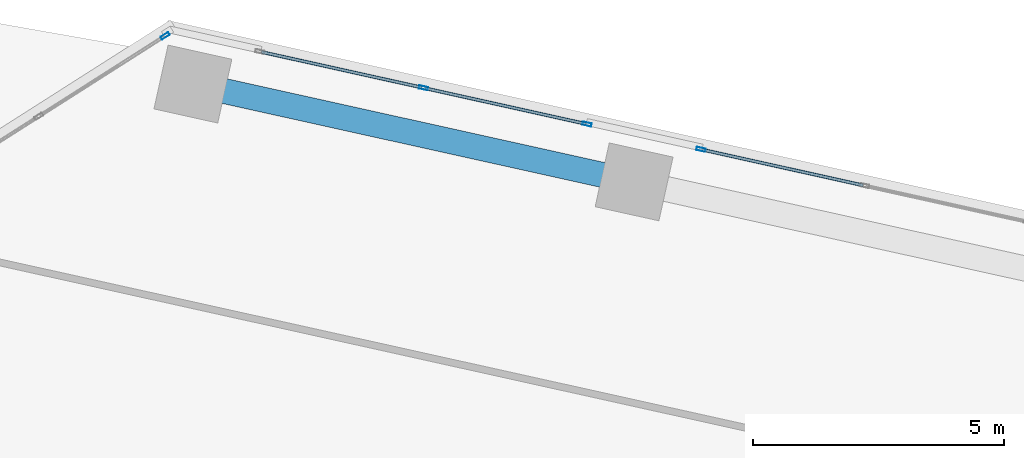
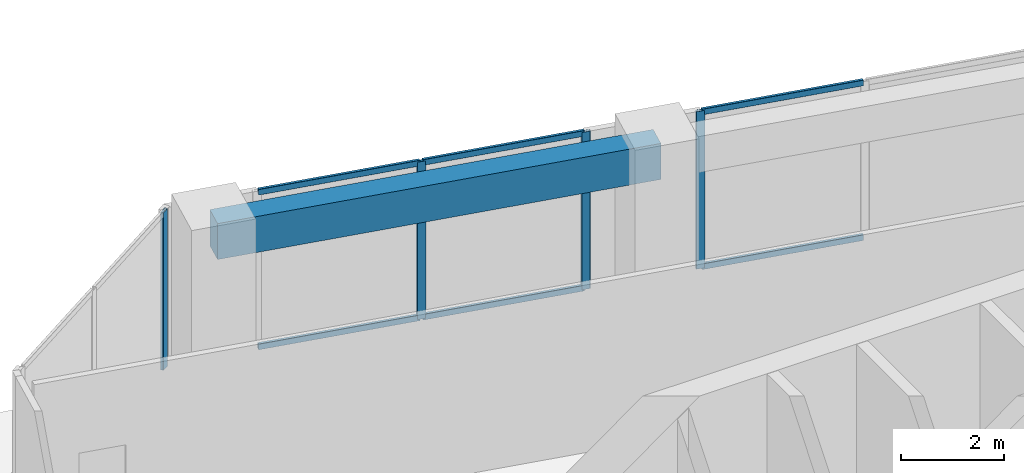
# One storey, part 16 of 25: 10 members, 1 beam, 3 elements without a shape of their own.
"""IFC4 building model written with IfcOpenShell, lengths in metres."""

from ifc_helpers import new_model, si_unit, direction, frame, origin, origin_2d, place, context, subcontext, project, spatial, rectangle, hollow_rectangle, extrude, source, transform, mapped, material, material_profile, profile_set, type_object, element, aggregate, save


model = new_model("IFC4")

# Units and contexts
model_context = context("Model", 3, precision=1e-05, world=origin(), true_north=direction((0.0, 1.0)))
body_context = subcontext(model_context, "Body", "Model", "MODEL_VIEW")
ifc_project = project(units=[si_unit("LENGTHUNIT", "METRE"), si_unit("AREAUNIT", "SQUARE_METRE"), si_unit("VOLUMEUNIT", "CUBIC_METRE"), si_unit("PLANEANGLEUNIT", "RADIAN"), si_unit("MASSUNIT", "GRAM", prefix="KILO")], contexts=[model_context])

# Site, building, storey
site_placement = place(None, origin())
site = spatial("IfcSite", under=ifc_project, at=site_placement, CompositionType="ELEMENT")
building_placement = place(site_placement, origin())
building = spatial("IfcBuilding", under=site, at=building_placement, Name="Torre Montelarca", CompositionType="ELEMENT")
storey_placement = place(building_placement, frame((0.0, 0.0, 87.39990234375)))
storey = spatial("IfcBuildingStorey", under=building, at=storey_placement, Name="L19", CompositionType="ELEMENT", Elevation=87.39990234375)

# Beam
ifc_material_1 = material(Name="Concrete C55/67", Category="concrete")
ifc_material_profile_1 = material_profile(ifc_material_1, rectangle(XDim=0.5, YDim=0.85009765625, at=origin_2d()), Name="RCB500X850", Category="concrete")
ifc_profile_set_1 = profile_set([ifc_material_profile_1], Name="Concrete C55/67")
beam_type = type_object("IfcBeamType", Name="BM-SP-RC850-EXT", PredefinedType="SPANDREL", material=ifc_profile_set_1)
shared_shape_1 = source(origin(), body_context, "Body", "SweptSolid", [
    extrude(rectangle(XDim=0.5, YDim=0.85009765625, at=origin_2d()), origin(), (0.0, 0.0, 1.0), 9.0),
])
beam_placement = place(storey_placement, frame((12.575439453125, 49.496337890625, 3.53515625), z_axis=(0.976294808562, -0.216445020214, 0.0), x_axis=(0.216445020214, 0.976294808562, 0.0)))
element("IfcBeam", 1, at=beam_placement, inside=storey, type_object=beam_type, Name="L19 Grid Girder X 9.0-18.0 at Y=47.1", PredefinedType="SPANDREL", context=body_context, shape_type="MappedRepresentation", body=[
    mapped(shared_shape_1, transform((0.0, 0.0, 0.0), scale=1.0)),
])

# Curtain wall, members
ifc_material_2 = material(Name="Insulated low-E laminated glass", Category="glass")
curtain_wall_type = type_object("IfcCurtainWallType", Name="CW-SYS-Z1", PredefinedType="USERDEFINED", material=ifc_material_2)
curtain_wall_1_placement = place(storey_placement, origin())
curtain_wall_1 = element("IfcCurtainWall", 2, at=curtain_wall_1_placement, inside=storey, type_object=curtain_wall_type, Name="L19 Curtain Wall Run CW-T3-L19-E08-B4", ObjectType="UNITISED GLAZING", PredefinedType="USERDEFINED")
ifc_material_3 = material(Name="Anodised aluminium AA 6063-T6", Category="aluminium")
ifc_material_profile_2 = material_profile(ifc_material_3, hollow_rectangle(XDim=0.06494140625, YDim=0.139892578125, WallThickness=0.00390625, InnerFilletRadius=0.00390625, OuterFilletRadius=0.008056640625, at=origin_2d()), Name="ALU65X140X4", Category="aluminium")
ifc_profile_set_2 = profile_set([ifc_material_profile_2], Name="Anodised aluminium AA 6063-T6")
member_type_1 = type_object("IfcMemberType", Name="CWT-ALU140", PredefinedType="USERDEFINED", material=ifc_profile_set_2)
shared_shape_2 = source(origin(), body_context, "Body", "SweptSolid", [
    extrude(hollow_rectangle(XDim=0.06494140625, YDim=0.139892578125, WallThickness=0.00390625, InnerFilletRadius=0.00390625, OuterFilletRadius=0.008056640625, at=origin_2d()), origin(), (0.0, 0.0, 1.0), 3.272705078125),
])
member_1_placement = place(storey_placement, frame((20.39453125, 48.705322265625, 0.03271484375), z_axis=(-0.976301020546, 0.216416998594, 0.0), x_axis=(-0.216416998594, -0.976301020546, 0.0)))
member_1 = element("IfcMember", 3, at=member_1_placement, type_object=member_type_1, Name="CW transom 1.1", ObjectType="TRANSOM", PredefinedType="USERDEFINED", context=body_context, shape_type="MappedRepresentation", body=[
    mapped(shared_shape_2, transform((0.0, 0.0, 0.0), scale=1.0)),
])
member_2_placement = place(storey_placement, frame((20.39453125, 48.705322265625, 3.6875), z_axis=(-0.976301020546, 0.216416998594, 0.0), x_axis=(-0.216416998594, -0.976301020546, 0.0)))
member_2 = element("IfcMember", 4, at=member_2_placement, type_object=member_type_1, Name="CW transom 1.2", ObjectType="TRANSOM", PredefinedType="USERDEFINED", context=body_context, shape_type="MappedRepresentation", body=[
    mapped(shared_shape_2, transform((0.0, 0.0, 0.0), scale=1.0)),
])

curtain_wall_2_placement = place(storey_placement, origin())
curtain_wall_2 = element("IfcCurtainWall", 5, at=curtain_wall_2_placement, inside=storey, type_object=curtain_wall_type, Name="L19 Curtain Wall Run CW-T3-L19-E08-B3", ObjectType="UNITISED GLAZING", PredefinedType="USERDEFINED")
shared_shape_3 = source(origin(), body_context, "Body", "SweptSolid", [
    extrude(hollow_rectangle(XDim=0.06494140625, YDim=0.139892578125, WallThickness=0.00390625, InnerFilletRadius=0.00390625, OuterFilletRadius=0.008056640625, at=origin_2d()), origin(), (0.0, 0.0, 1.0), 3.2724609375),
])
member_3_placement = place(storey_placement, frame((25.922607421875, 47.479736328125, 0.03271484375), z_axis=(-0.976297526136, 0.216432761984, 0.0), x_axis=(-0.216432761984, -0.976297526136, 0.0)))
member_3 = element("IfcMember", 6, at=member_3_placement, type_object=member_type_1, Name="CW transom 2.1", ObjectType="TRANSOM", PredefinedType="USERDEFINED", context=body_context, shape_type="MappedRepresentation", body=[
    mapped(shared_shape_3, transform((0.0, 0.0, 0.0), scale=1.0)),
])
member_4_placement = place(storey_placement, frame((25.922607421875, 47.479736328125, 3.6875), z_axis=(-0.976297526136, 0.216432761984, 0.0), x_axis=(-0.216432761984, -0.976297526136, 0.0)))
member_4 = element("IfcMember", 7, at=member_4_placement, type_object=member_type_1, Name="CW transom 2.2", ObjectType="TRANSOM", PredefinedType="USERDEFINED", context=body_context, shape_type="MappedRepresentation", body=[
    mapped(shared_shape_3, transform((0.0, 0.0, 0.0), scale=1.0)),
])

# Member
member_5_placement = place(storey_placement, frame((17.135986328125, 49.427490234375, 0.03271484375), z_axis=(-0.976297526136, 0.216432761984, 0.0), x_axis=(-0.216432761984, -0.976297526136, 0.0)))
member_5 = element("IfcMember", 8, at=member_5_placement, type_object=member_type_1, Name="CW transom 2.1", ObjectType="TRANSOM", PredefinedType="USERDEFINED", context=body_context, shape_type="MappedRepresentation", body=[
    mapped(shared_shape_3, transform((0.0, 0.0, 0.0), scale=1.0)),
])

member_6_placement = place(storey_placement, frame((17.135986328125, 49.427490234375, 3.6875), z_axis=(-0.976297526136, 0.216432761984, 0.0), x_axis=(-0.216432761984, -0.976297526136, 0.0)))
member_6 = element("IfcMember", 9, at=member_6_placement, type_object=member_type_1, Name="CW transom 2.2", ObjectType="TRANSOM", PredefinedType="USERDEFINED", context=body_context, shape_type="MappedRepresentation", body=[
    mapped(shared_shape_3, transform((0.0, 0.0, 0.0), scale=1.0)),
])

ifc_material_profile_3 = material_profile(ifc_material_3, hollow_rectangle(XDim=0.06494140625, YDim=0.179931640625, WallThickness=0.00390625, InnerFilletRadius=0.00390625, OuterFilletRadius=0.008056640625, at=origin_2d()), Name="ALU65X180X4", Category="aluminium")
ifc_profile_set_3 = profile_set([ifc_material_profile_3], Name="Anodised aluminium AA 6063-T6")
member_type_2 = type_object("IfcMemberType", Name="CWM-ALU180", PredefinedType="MULLION", material=ifc_profile_set_3)
shared_shape_4 = source(origin(), body_context, "Body", "SweptSolid", [
    extrude(hollow_rectangle(XDim=0.06494140625, YDim=0.179931640625, WallThickness=0.00390625, InnerFilletRadius=0.00390625, OuterFilletRadius=0.008056640625, at=origin_2d()), origin(), (0.0, 0.0, 1.0), 3.72021484375),
])
member_7_placement = place(storey_placement, frame((22.696044921875, 48.195068359375, 0.0), z_axis=(0.0, 0.0, 1.0), x_axis=(-0.216437154905, -0.976296552271, 0.0)))
member_7 = element("IfcMember", 10, at=member_7_placement, type_object=member_type_2, Name="CW mullion 3", PredefinedType="MULLION", context=body_context, shape_type="MappedRepresentation", body=[
    mapped(shared_shape_4, transform((0.0, 0.0, 0.0), scale=1.0)),
])

aggregate(curtain_wall_2, [member_7, member_3, member_4])

member_8_placement = place(storey_placement, frame((20.42626953125, 48.6982421875, 0.0), z_axis=(0.0, 0.0, 1.0), x_axis=(-0.216426148151, -0.976298992316, 0.0)))
member_8 = element("IfcMember", 11, at=member_8_placement, type_object=member_type_2, Name="CW mullion 1", PredefinedType="MULLION", context=body_context, shape_type="MappedRepresentation", body=[
    mapped(shared_shape_4, transform((0.0, 0.0, 0.0), scale=1.0)),
])

member_9_placement = place(storey_placement, frame((17.167724609375, 49.420654296875, 0.0), z_axis=(0.0, 0.0, 1.0), x_axis=(-0.216426148151, -0.976298992316, 0.0)))
member_9 = element("IfcMember", 12, at=member_9_placement, type_object=member_type_2, Name="CW mullion 2", PredefinedType="MULLION", context=body_context, shape_type="MappedRepresentation", body=[
    mapped(shared_shape_4, transform((0.0, 0.0, 0.0), scale=1.0)),
])

aggregate(curtain_wall_1, [member_8, member_9, member_1, member_2, member_5, member_6])

# Curtain wall, member
curtain_wall_3_placement = place(storey_placement, origin())
curtain_wall_3 = element("IfcCurtainWall", 13, at=curtain_wall_3_placement, inside=storey, type_object=curtain_wall_type, Name="L19 Curtain Wall Run CW-T3-L19-E09-B1", ObjectType="UNITISED GLAZING", PredefinedType="USERDEFINED")
member_10_placement = place(storey_placement, frame((12.021728515625, 50.456787109375, 0.0), z_axis=(0.0, 0.0, 1.0), x_axis=(0.537316274487, -0.843380828079, 0.0)))
member_10 = element("IfcMember", 14, at=member_10_placement, type_object=member_type_2, Name="CW mullion 1", PredefinedType="MULLION", context=body_context, shape_type="MappedRepresentation", body=[
    mapped(shared_shape_4, transform((0.0, 0.0, 0.0), scale=1.0)),
])
aggregate(curtain_wall_3, [member_10])

save(model, "model.ifc")
